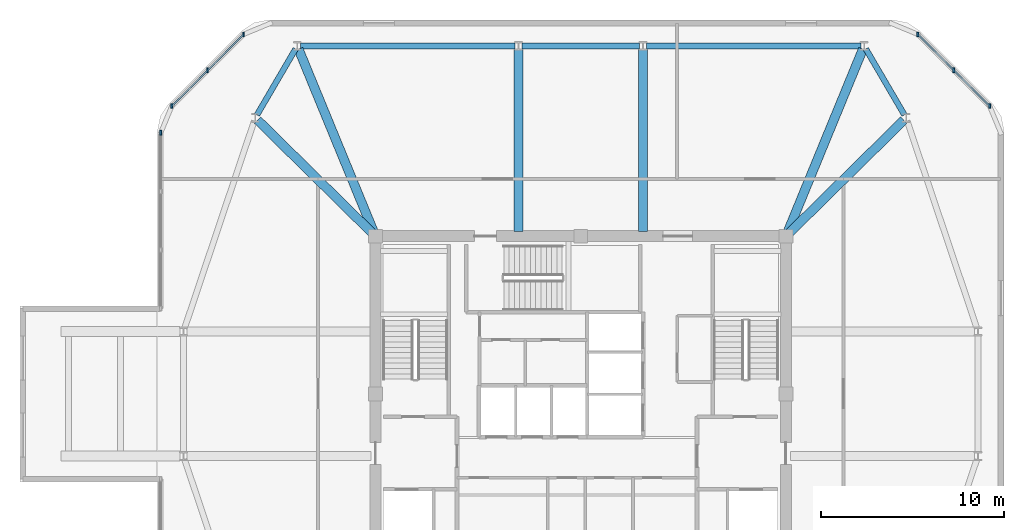
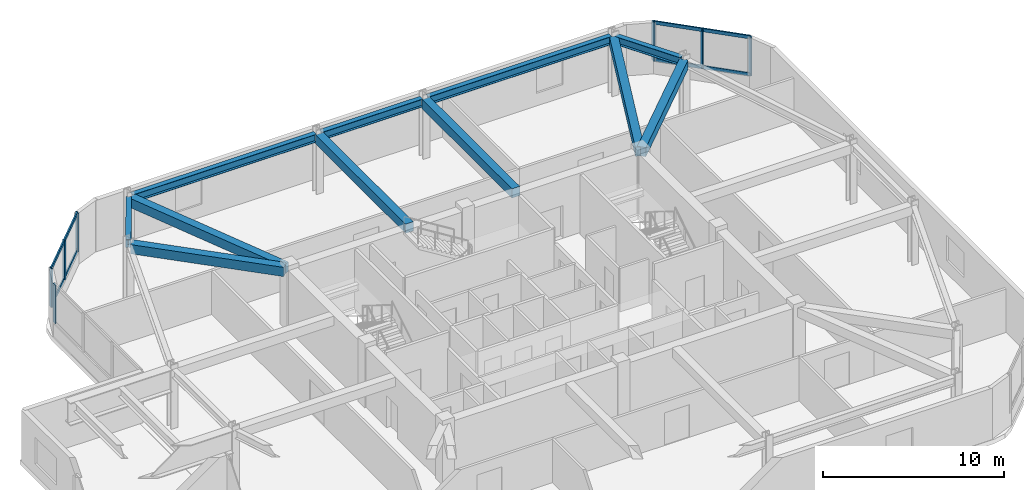
# One storey, part 4 of 9: 11 beams, 11 members, 3 elements without a shape of their own.
"""IFC4 building model written with IfcOpenShell, lengths in metres."""

from ifc_helpers import new_model, si_unit, derived_unit, direction, frame, origin, origin_2d, place, context, subcontext, project, spatial, rectangle, i_section, extrude, material, material_profile, profile_set, type_object, element, aggregate, save


model = new_model("IFC4")

# Units and contexts
model_context = context("Model", 3, precision=1e-05, world=origin(), true_north=direction((0.0, 1.0)))
body_context = subcontext(model_context, "Body", "Model", "MODEL_VIEW")
ifc_project = project(units=[si_unit("LENGTHUNIT", "METRE"), si_unit("AREAUNIT", "SQUARE_METRE"), si_unit("VOLUMEUNIT", "CUBIC_METRE"), si_unit("PLANEANGLEUNIT", "RADIAN"), si_unit("MASSUNIT", "GRAM", prefix="KILO"), derived_unit("THERMALTRANSMITTANCEUNIT", [(si_unit("POWERUNIT", "WATT"), 1), (si_unit("LENGTHUNIT", "METRE"), -2), (si_unit("THERMODYNAMICTEMPERATUREUNIT", "KELVIN"), -1)])], contexts=[model_context])

# Site, building, storey
site_placement = place(None, origin())
site = spatial("IfcSite", under=ifc_project, at=site_placement, CompositionType="ELEMENT")
building_placement = place(site_placement, origin())
building = spatial("IfcBuilding", under=site, at=building_placement, Name="Koralith Skygarden Medical Center", CompositionType="ELEMENT")
storey_placement = place(building_placement, frame((0.0, 0.0, 290.340087890625)))
storey = spatial("IfcBuildingStorey", under=building, at=storey_placement, Name="L75", CompositionType="ELEMENT", Elevation=290.340087890625)

# Curtain wall, members
ifc_material_1 = material(Name="Clear Laminated Glass", Category="glass")
curtain_wall_type = type_object("IfcCurtainWallType", Name="CW-8 Crown Lookout Low-Iron Curtain Wall", PredefinedType="NOTDEFINED", material=ifc_material_1)
curtain_wall_1_placement = place(storey_placement, origin())
curtain_wall_1 = element("IfcCurtainWall", 1, at=curtain_wall_1_placement, inside=storey, type_object=curtain_wall_type, Name="Curtain Wall CW-L75-NE", PredefinedType="NOTDEFINED")
ifc_material_2 = material(Name="Aluminium 6063-T6", Category="aluminium")
ifc_material_profile_1 = material_profile(ifc_material_2, rectangle(XDim=0.089111328125, YDim=0.25, at=origin_2d()), Name="MUL89X250")
ifc_profile_set_1 = profile_set([ifc_material_profile_1], Name="Aluminium 6063-T6")
member_type_1 = type_object("IfcMemberType", Name="CW-8 Extruded Mullion 89x250", PredefinedType="MULLION", material=ifc_profile_set_1)
member_1_placement = place(storey_placement, frame((59.319091796875, 41.595947265625, 0.849853515625), z_axis=(0.0, 0.0, 1.0), x_axis=(1.0, 0.0, 0.0)))
member_1 = element("IfcMember", 2, at=member_1_placement, type_object=member_type_1, Name="CW-L75-NE Mullion 1", PredefinedType="MULLION", context=body_context, shape_type="SweptSolid", body=[
    extrude(rectangle(XDim=0.089111328125, YDim=0.25, at=origin_2d()), origin(), (0.0, 0.0, 1.0), 2.610107421875),
])
member_2_placement = place(storey_placement, frame((57.35791015625, 43.556884765625, 0.849853515625), z_axis=(0.0, 0.0, 1.0), x_axis=(1.0, 0.0, 0.0)))
member_2 = element("IfcMember", 3, at=member_2_placement, type_object=member_type_1, Name="CW-L75-NE Mullion 2", PredefinedType="MULLION", context=body_context, shape_type="SweptSolid", body=[
    extrude(rectangle(XDim=0.089111328125, YDim=0.25, at=origin_2d()), origin(), (0.0, 0.0, 1.0), 2.610107421875),
])
member_3_placement = place(storey_placement, frame((55.39599609375, 45.51904296875, 0.849853515625), z_axis=(0.0, 0.0, 1.0), x_axis=(1.0, 0.0, 0.0)))
member_3 = element("IfcMember", 4, at=member_3_placement, type_object=member_type_1, Name="CW-L75-NE Mullion 3", PredefinedType="MULLION", context=body_context, shape_type="SweptSolid", body=[
    extrude(rectangle(XDim=0.089111328125, YDim=0.25, at=origin_2d()), origin(), (0.0, 0.0, 1.0), 2.610107421875),
])

curtain_wall_2_placement = place(storey_placement, origin())
curtain_wall_2 = element("IfcCurtainWall", 5, at=curtain_wall_2_placement, inside=storey, type_object=curtain_wall_type, Name="Curtain Wall CW-L75-NW", PredefinedType="NOTDEFINED")
member_4_placement = place(storey_placement, frame((18.60400390625, 45.51904296875, 0.849853515625), z_axis=(0.0, 0.0, 1.0), x_axis=(1.0, 0.0, 0.0)))
member_4 = element("IfcMember", 6, at=member_4_placement, type_object=member_type_1, Name="CW-L75-NW Mullion 1", PredefinedType="MULLION", context=body_context, shape_type="SweptSolid", body=[
    extrude(rectangle(XDim=0.089111328125, YDim=0.25, at=origin_2d()), origin(), (0.0, 0.0, 1.0), 2.610107421875),
])
member_5_placement = place(storey_placement, frame((16.64208984375, 43.556884765625, 0.849853515625), z_axis=(0.0, 0.0, 1.0), x_axis=(1.0, 0.0, 0.0)))
member_5 = element("IfcMember", 7, at=member_5_placement, type_object=member_type_1, Name="CW-L75-NW Mullion 2", PredefinedType="MULLION", context=body_context, shape_type="SweptSolid", body=[
    extrude(rectangle(XDim=0.089111328125, YDim=0.25, at=origin_2d()), origin(), (0.0, 0.0, 1.0), 2.610107421875),
])
member_6_placement = place(storey_placement, frame((14.680908203125, 41.595947265625, 0.849853515625), z_axis=(0.0, 0.0, 1.0), x_axis=(1.0, 0.0, 0.0)))
member_6 = element("IfcMember", 8, at=member_6_placement, type_object=member_type_1, Name="CW-L75-NW Mullion 3", PredefinedType="MULLION", context=body_context, shape_type="SweptSolid", body=[
    extrude(rectangle(XDim=0.089111328125, YDim=0.25, at=origin_2d()), origin(), (0.0, 0.0, 1.0), 2.610107421875),
])

# Curtain wall, member
curtain_wall_3_placement = place(storey_placement, origin())
curtain_wall_3 = element("IfcCurtainWall", 9, at=curtain_wall_3_placement, inside=storey, type_object=curtain_wall_type, Name="Curtain Wall CW-L75-W-N", PredefinedType="NOTDEFINED")
member_7_placement = place(storey_placement, frame((14.080078125, 40.14501953125, 0.849853515625), z_axis=(0.0, 0.0, 1.0), x_axis=(1.0, 0.0, 0.0)))
member_7 = element("IfcMember", 10, at=member_7_placement, type_object=member_type_1, Name="CW-L75-W-N Mullion 1", PredefinedType="MULLION", context=body_context, shape_type="SweptSolid", body=[
    extrude(rectangle(XDim=0.089111328125, YDim=0.25, at=origin_2d()), origin(), (0.0, 0.0, 1.0), 2.610107421875),
])
aggregate(curtain_wall_3, [member_7])

# Member
ifc_material_profile_2 = material_profile(ifc_material_2, rectangle(XDim=0.083984375, YDim=0.22509765625, at=origin_2d()), Name="TRN84X225")
ifc_profile_set_2 = profile_set([ifc_material_profile_2], Name="Aluminium 6063-T6")
member_type_2 = type_object("IfcMemberType", Name="CW-8 Thermal Transom 84x225", PredefinedType="USERDEFINED", material=ifc_profile_set_2)
member_8_placement = place(storey_placement, frame((59.319091796875, 41.595947265625, 0.89990234375), z_axis=(-0.707106781187, 0.707106781187, 0.0), x_axis=(-0.707106781187, -0.707106781187, 0.0)))
member_8 = element("IfcMember", 11, at=member_8_placement, type_object=member_type_2, Name="CW-L75-NE Transom 1", ObjectType="TRANSOM", PredefinedType="USERDEFINED", context=body_context, shape_type="SweptSolid", body=[
    extrude(rectangle(XDim=0.083984375, YDim=0.22509765625, at=origin_2d()), origin(), (0.0, 0.0, 1.0), 5.548095703125),
])

member_9_placement = place(storey_placement, frame((59.319091796875, 41.595947265625, 3.409912109375), z_axis=(-0.707106781187, 0.707106781187, 0.0), x_axis=(-0.707106781187, -0.707106781187, 0.0)))
member_9 = element("IfcMember", 12, at=member_9_placement, type_object=member_type_2, Name="CW-L75-NE Transom 2", ObjectType="TRANSOM", PredefinedType="USERDEFINED", context=body_context, shape_type="SweptSolid", body=[
    extrude(rectangle(XDim=0.083984375, YDim=0.22509765625, at=origin_2d()), origin(), (0.0, 0.0, 1.0), 5.548095703125),
])

aggregate(curtain_wall_1, [member_1, member_2, member_3, member_8, member_9])

member_10_placement = place(storey_placement, frame((18.60400390625, 45.51904296875, 0.89990234375), z_axis=(-0.707106781187, -0.707106781187, 0.0), x_axis=(0.707106781187, -0.707106781187, 0.0)))
member_10 = element("IfcMember", 13, at=member_10_placement, type_object=member_type_2, Name="CW-L75-NW Transom 1", ObjectType="TRANSOM", PredefinedType="USERDEFINED", context=body_context, shape_type="SweptSolid", body=[
    extrude(rectangle(XDim=0.083984375, YDim=0.22509765625, at=origin_2d()), origin(), (0.0, 0.0, 1.0), 5.548095703125),
])

member_11_placement = place(storey_placement, frame((18.60400390625, 45.51904296875, 3.409912109375), z_axis=(-0.707106781187, -0.707106781187, 0.0), x_axis=(0.707106781187, -0.707106781187, 0.0)))
member_11 = element("IfcMember", 14, at=member_11_placement, type_object=member_type_2, Name="CW-L75-NW Transom 2", ObjectType="TRANSOM", PredefinedType="USERDEFINED", context=body_context, shape_type="SweptSolid", body=[
    extrude(rectangle(XDim=0.083984375, YDim=0.22509765625, at=origin_2d()), origin(), (0.0, 0.0, 1.0), 5.548095703125),
])

aggregate(curtain_wall_2, [member_4, member_5, member_6, member_10, member_11])

# Beams
ifc_material_3 = material(Name="Steel ASTM A992 Grade 50", Category="steel")
ifc_material_profile_3 = material_profile(ifc_material_3, i_section(OverallWidth=0.31201171875, OverallDepth=0.54296875, WebThickness=0.0126953125, FlangeThickness=0.020263671875, at=origin_2d()), Name="W21X101")
ifc_profile_set_3 = profile_set([ifc_material_profile_3], Name="Steel ASTM A992 Grade 50")
beam_type_1 = type_object("IfcBeamType", Name="Canopy Ring Beam W21X101", PredefinedType="SPANDREL", material=ifc_profile_set_3)
beam_1_placement = place(storey_placement, frame((54.6669921875, 41.1201171875, 3.7490234375), z_axis=(-0.504951618525, 0.863147648406, 0.0), x_axis=(-0.863147648406, -0.504951618525, 0.0)))
element("IfcBeam", 15, at=beam_1_placement, inside=storey, type_object=beam_type_1, Name="L75 Perimeter Spandrel Beam SP-10", PredefinedType="SPANDREL", context=body_context, shape_type="SweptSolid", body=[
    extrude(i_section(OverallWidth=0.31201171875, OverallDepth=0.54296875, WebThickness=0.0126953125, FlangeThickness=0.020263671875, at=origin_2d()), origin(), (0.0, 0.0, 1.0), 4.170654296875),
])
beam_2_placement = place(storey_placement, frame((52.282958984375, 44.8798828125, 3.7490234375), z_axis=(-1.0, 0.0, 0.0), x_axis=(0.0, -1.0, 0.0)))
element("IfcBeam", 16, at=beam_2_placement, inside=storey, type_object=beam_type_1, Name="L75 Perimeter Spandrel Beam SP-11", PredefinedType="SPANDREL", context=body_context, shape_type="SweptSolid", body=[
    extrude(i_section(OverallWidth=0.31201171875, OverallDepth=0.54296875, WebThickness=0.0126953125, FlangeThickness=0.020263671875, at=origin_2d()), origin(), (0.0, 0.0, 1.0), 11.697998046875),
])
beam_3_placement = place(storey_placement, frame((40.215087890625, 44.8798828125, 3.7490234375), z_axis=(-1.0, 0.0, 0.0), x_axis=(0.0, -1.0, 0.0)))
element("IfcBeam", 17, at=beam_3_placement, inside=storey, type_object=beam_type_1, Name="L75 Perimeter Spandrel Beam SP-12", PredefinedType="SPANDREL", context=body_context, shape_type="SweptSolid", body=[
    extrude(i_section(OverallWidth=0.31201171875, OverallDepth=0.54296875, WebThickness=0.0126953125, FlangeThickness=0.020263671875, at=origin_2d()), origin(), (0.0, 0.0, 1.0), 6.43017578125),
])
beam_4_placement = place(storey_placement, frame((33.4150390625, 44.8798828125, 3.7490234375), z_axis=(-1.0, 0.0, 0.0), x_axis=(0.0, -1.0, 0.0)))
element("IfcBeam", 18, at=beam_4_placement, inside=storey, type_object=beam_type_1, Name="L75 Perimeter Spandrel Beam SP-13", PredefinedType="SPANDREL", context=body_context, shape_type="SweptSolid", body=[
    extrude(i_section(OverallWidth=0.31201171875, OverallDepth=0.54296875, WebThickness=0.0126953125, FlangeThickness=0.020263671875, at=origin_2d()), origin(), (0.0, 0.0, 1.0), 11.697998046875),
])
beam_5_placement = place(storey_placement, frame((21.43896484375, 44.719970703125, 3.7490234375), z_axis=(-0.504951618525, -0.863147648406, 0.0), x_axis=(0.863147648406, -0.504951618525, 0.0)))
element("IfcBeam", 19, at=beam_5_placement, inside=storey, type_object=beam_type_1, Name="L75 Perimeter Spandrel Beam SP-14", PredefinedType="SPANDREL", context=body_context, shape_type="SweptSolid", body=[
    extrude(i_section(OverallWidth=0.31201171875, OverallDepth=0.54296875, WebThickness=0.0126953125, FlangeThickness=0.020263671875, at=origin_2d()), origin(), (0.0, 0.0, 1.0), 4.170654296875),
])
ifc_material_4 = material(Name="Concrete C45/55", Category="concrete")
ifc_material_profile_4 = material_profile(ifc_material_4, rectangle(XDim=0.5, YDim=0.6201171875, at=origin_2d()), Name="RCB500X620")
ifc_profile_set_4 = profile_set([ifc_material_profile_4], Name="Concrete C45/55")
beam_type_2 = type_object("IfcBeamType", Name="Upper Radial Collector Beam RCB500X620", PredefinedType="BEAM", material=ifc_profile_set_4)
beam_6_placement = place(storey_placement, frame((48.3779296875, 34.675048828125, 3.7099609375), z_axis=(0.712499385168, 0.701672734354, 0.0), x_axis=(-0.701672734354, 0.712499385168, 0.0)))
element("IfcBeam", 20, at=beam_6_placement, inside=storey, type_object=beam_type_2, Name="L75 Radial Collector Beam RB-10", PredefinedType="BEAM", context=body_context, shape_type="SweptSolid", body=[
    extrude(rectangle(XDim=0.5, YDim=0.6201171875, at=origin_2d()), origin(), (0.0, 0.0, 1.0), 8.77197265625),
])
beam_7_placement = place(storey_placement, frame((48.294921875, 34.73095703125, 3.7099609375), z_axis=(0.380308155568, 0.924859830898, 0.0), x_axis=(-0.924859830898, 0.380308155568, 0.0)))
element("IfcBeam", 21, at=beam_7_placement, inside=storey, type_object=beam_type_2, Name="L75 Radial Collector Beam RB-11", PredefinedType="BEAM", context=body_context, shape_type="SweptSolid", body=[
    extrude(rectangle(XDim=0.5, YDim=0.6201171875, at=origin_2d()), origin(), (0.0, 0.0, 1.0), 10.78857421875),
])
for number, where, z_axis, x_axis, name in (
    (22, (40.39990234375, 34.75, 3.7099609375), (0.0, 1.0, 0.0), (-1.0, 0.0, 0.0), "L75 Radial Collector Beam RB-12"),
    (23, (33.60009765625, 34.75, 3.7099609375), (0.0, 1.0, 0.0), (-1.0, 0.0, 0.0), "L75 Radial Collector Beam RB-13"),
):
    element("IfcBeam", number, at=place(storey_placement, frame(where, z_axis=z_axis, x_axis=x_axis)), inside=storey, type_object=beam_type_2, Name=name, PredefinedType="BEAM", context=body_context, shape_type="SweptSolid", body=[
        extrude(rectangle(XDim=0.5, YDim=0.6201171875, at=origin_2d()), origin(), (0.0, 0.0, 1.0), 9.945068359375),
    ])
beam_8_placement = place(storey_placement, frame((25.705078125, 34.73095703125, 3.7099609375), z_axis=(-0.380308155568, 0.924859830898, 0.0), x_axis=(-0.924859830898, -0.380308155568, 0.0)))
element("IfcBeam", 24, at=beam_8_placement, inside=storey, type_object=beam_type_2, Name="L75 Radial Collector Beam RB-14", PredefinedType="BEAM", context=body_context, shape_type="SweptSolid", body=[
    extrude(rectangle(XDim=0.5, YDim=0.6201171875, at=origin_2d()), origin(), (0.0, 0.0, 1.0), 10.78857421875),
])
beam_9_placement = place(storey_placement, frame((25.6220703125, 34.675048828125, 3.7099609375), z_axis=(-0.712499385168, 0.701672734354, 0.0), x_axis=(-0.701672734354, -0.712499385168, 0.0)))
element("IfcBeam", 25, at=beam_9_placement, inside=storey, type_object=beam_type_2, Name="L75 Radial Collector Beam RB-15", PredefinedType="BEAM", context=body_context, shape_type="SweptSolid", body=[
    extrude(rectangle(XDim=0.5, YDim=0.6201171875, at=origin_2d()), origin(), (0.0, 0.0, 1.0), 8.77197265625),
])

save(model, "model.ifc")
